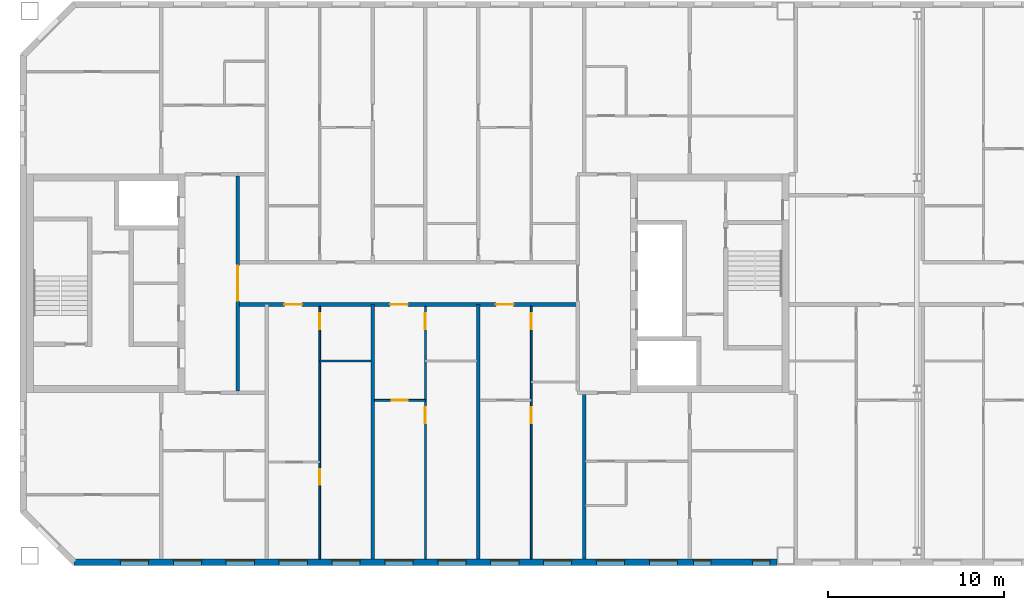
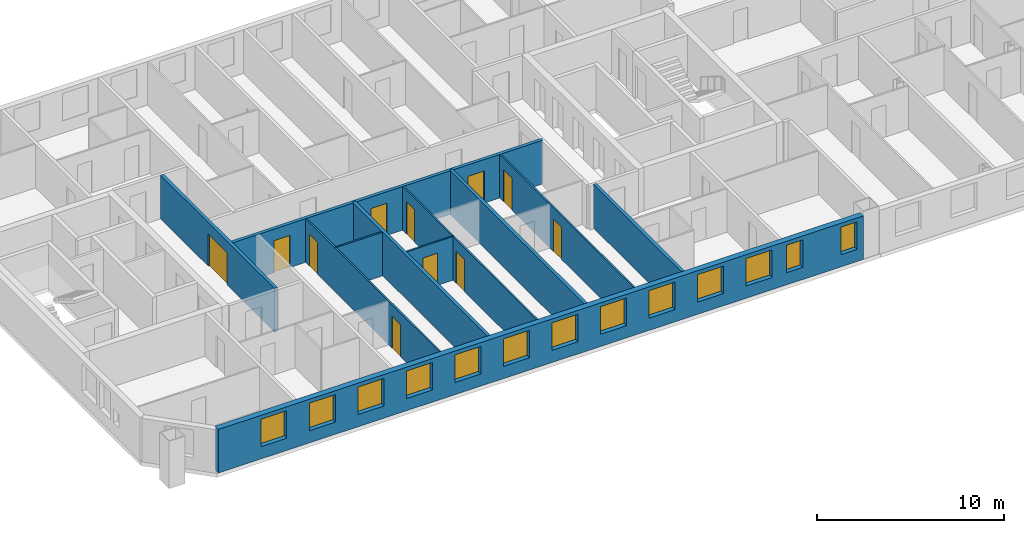
# One storey, part 5 of 19: 13 windows, 11 doors, 11 walls, 24 openings.
"""IFC4 building model written with IfcOpenShell, lengths in metres."""

from ifc_helpers import new_model, si_unit, direction, frame, frame_2d, origin, place, context, subcontext, project, spatial, rectangle, extrude, material, layer, layer_set, type_object, element, fill, save


model = new_model("IFC4")

# Units and contexts
model_context = context("Model", 3, precision=1e-05, world=origin(), true_north=direction((0.0, 1.0)))
body_context = subcontext(model_context, "Body", "Model", "MODEL_VIEW")
ifc_project = project(units=[si_unit("LENGTHUNIT", "METRE"), si_unit("AREAUNIT", "SQUARE_METRE"), si_unit("VOLUMEUNIT", "CUBIC_METRE"), si_unit("PLANEANGLEUNIT", "RADIAN"), si_unit("MASSUNIT", "GRAM", prefix="KILO")], contexts=[model_context])

# Site, building, storey
site_placement = place(None, origin())
site = spatial("IfcSite", under=ifc_project, at=site_placement, CompositionType="ELEMENT")
building_placement = place(site_placement, origin())
building = spatial("IfcBuilding", under=site, at=building_placement, Name="Tuart Gate Housing", CompositionType="ELEMENT")
storey_placement = place(building_placement, frame((0.0, 0.0, 205.89990234375)))
storey = spatial("IfcBuildingStorey", under=building, at=storey_placement, Name="L58", CompositionType="ELEMENT", Elevation=205.89990234375)

# Wall, openings, windows
ifc_material_1 = material(Name="Brick", Category="masonry")
ifc_layer_1 = layer(ifc_material_1, 0.360107421875)
ifc_layer_set_1 = layer_set([ifc_layer_1], Name="Brick pier and spandrel wall 360")
wall_type_1 = type_object("IfcWallType", Name="Brick pier and spandrel wall 360", PredefinedType="STANDARD", material=ifc_layer_set_1)
wall_1_placement = place(storey_placement, frame((35.07470703125, 54.179931640625, 0.0), z_axis=(0.0, 0.0, 1.0), x_axis=(1.0, 0.0, 0.0)))
wall_1 = element("IfcWall", 1, at=wall_1_placement, inside=storey, type_object=wall_type_1, Name="External wall BLK-S L58", PredefinedType="STANDARD", context=body_context, shape_type="SweptSolid", body=[
    extrude(rectangle(XDim=39.875244140625, YDim=0.360107421875, at=frame_2d((19.9375, 0.0))), origin(), (0.0, 0.0, 1.0), 2.85009765625),
])
opening_1_placement = place(wall_1_placement, frame((2.62548828125, 0.0, 0.800048828125)))
opening_1 = element("IfcOpeningElement", 2, at=opening_1_placement, cuts=wall_1, Name="Opening W1", PredefinedType="OPENING", context=body_context, shape_type="SweptSolid", body=[
    extrude(rectangle(XDim=1.60009765625, YDim=1.800048828125, at=frame_2d((0.800048828125, 0.89990234375))), frame((0.0, 0.18994140625, 0.0), z_axis=(0.0, -1.0, 0.0), x_axis=(1.0, 0.0, 0.0)), (0.0, 0.0, 1.0), 0.380126953125),
])
opening_2_placement = place(wall_1_placement, frame((5.62548828125, 0.0, 0.800048828125)))
opening_2 = element("IfcOpeningElement", 3, at=opening_2_placement, cuts=wall_1, Name="Opening W1", PredefinedType="OPENING", context=body_context, shape_type="SweptSolid", body=[
    extrude(rectangle(XDim=1.60009765625, YDim=1.800048828125, at=frame_2d((0.800048828125, 0.89990234375))), frame((0.0, 0.18994140625, 0.0), z_axis=(0.0, -1.0, 0.0), x_axis=(1.0, 0.0, 0.0)), (0.0, 0.0, 1.0), 0.380126953125),
])
opening_3_placement = place(wall_1_placement, frame((8.62548828125, 0.0, 0.800048828125)))
opening_3 = element("IfcOpeningElement", 4, at=opening_3_placement, cuts=wall_1, Name="Opening W1", PredefinedType="OPENING", context=body_context, shape_type="SweptSolid", body=[
    extrude(rectangle(XDim=1.60009765625, YDim=1.800048828125, at=frame_2d((0.800048828125, 0.89990234375))), frame((0.0, 0.18994140625, 0.0), z_axis=(0.0, -1.0, 0.0), x_axis=(1.0, 0.0, 0.0)), (0.0, 0.0, 1.0), 0.380126953125),
])
opening_4_placement = place(wall_1_placement, frame((11.62548828125, 0.0, 0.800048828125)))
opening_4 = element("IfcOpeningElement", 5, at=opening_4_placement, cuts=wall_1, Name="Opening W1", PredefinedType="OPENING", context=body_context, shape_type="SweptSolid", body=[
    extrude(rectangle(XDim=1.60009765625, YDim=1.800048828125, at=frame_2d((0.800048828125, 0.89990234375))), frame((0.0, 0.18994140625, 0.0), z_axis=(0.0, -1.0, 0.0), x_axis=(1.0, 0.0, 0.0)), (0.0, 0.0, 1.0), 0.380126953125),
])
opening_5_placement = place(wall_1_placement, frame((14.62548828125, 0.0, 0.800048828125)))
opening_5 = element("IfcOpeningElement", 6, at=opening_5_placement, cuts=wall_1, Name="Opening W1", PredefinedType="OPENING", context=body_context, shape_type="SweptSolid", body=[
    extrude(rectangle(XDim=1.60009765625, YDim=1.800048828125, at=frame_2d((0.800048828125, 0.89990234375))), frame((0.0, 0.18994140625, 0.0), z_axis=(0.0, -1.0, 0.0), x_axis=(1.0, 0.0, 0.0)), (0.0, 0.0, 1.0), 0.380126953125),
])
opening_6_placement = place(wall_1_placement, frame((17.62548828125, 0.0, 0.800048828125)))
opening_6 = element("IfcOpeningElement", 7, at=opening_6_placement, cuts=wall_1, Name="Opening W1", PredefinedType="OPENING", context=body_context, shape_type="SweptSolid", body=[
    extrude(rectangle(XDim=1.60009765625, YDim=1.800048828125, at=frame_2d((0.800048828125, 0.89990234375))), frame((0.0, 0.18994140625, 0.0), z_axis=(0.0, -1.0, 0.0), x_axis=(1.0, 0.0, 0.0)), (0.0, 0.0, 1.0), 0.380126953125),
])
opening_7_placement = place(wall_1_placement, frame((20.62548828125, 0.0, 0.800048828125)))
opening_7 = element("IfcOpeningElement", 8, at=opening_7_placement, cuts=wall_1, Name="Opening W1", PredefinedType="OPENING", context=body_context, shape_type="SweptSolid", body=[
    extrude(rectangle(XDim=1.60009765625, YDim=1.800048828125, at=frame_2d((0.800048828125, 0.89990234375))), frame((0.0, 0.18994140625, 0.0), z_axis=(0.0, -1.0, 0.0), x_axis=(1.0, 0.0, 0.0)), (0.0, 0.0, 1.0), 0.380126953125),
])
opening_8_placement = place(wall_1_placement, frame((23.62548828125, 0.0, 0.800048828125)))
opening_8 = element("IfcOpeningElement", 9, at=opening_8_placement, cuts=wall_1, Name="Opening W1", PredefinedType="OPENING", context=body_context, shape_type="SweptSolid", body=[
    extrude(rectangle(XDim=1.60009765625, YDim=1.800048828125, at=frame_2d((0.800048828125, 0.89990234375))), frame((0.0, 0.18994140625, 0.0), z_axis=(0.0, -1.0, 0.0), x_axis=(1.0, 0.0, 0.0)), (0.0, 0.0, 1.0), 0.380126953125),
])
opening_9_placement = place(wall_1_placement, frame((26.62548828125, 0.0, 0.800048828125)))
opening_9 = element("IfcOpeningElement", 10, at=opening_9_placement, cuts=wall_1, Name="Opening W1", PredefinedType="OPENING", context=body_context, shape_type="SweptSolid", body=[
    extrude(rectangle(XDim=1.60009765625, YDim=1.800048828125, at=frame_2d((0.800048828125, 0.89990234375))), frame((0.0, 0.18994140625, 0.0), z_axis=(0.0, -1.0, 0.0), x_axis=(1.0, 0.0, 0.0)), (0.0, 0.0, 1.0), 0.380126953125),
])
opening_10_placement = place(wall_1_placement, frame((29.62548828125, 0.0, 0.800048828125)))
opening_10 = element("IfcOpeningElement", 11, at=opening_10_placement, cuts=wall_1, Name="Opening W1", PredefinedType="OPENING", context=body_context, shape_type="SweptSolid", body=[
    extrude(rectangle(XDim=1.60009765625, YDim=1.800048828125, at=frame_2d((0.800048828125, 0.89990234375))), frame((0.0, 0.18994140625, 0.0), z_axis=(0.0, -1.0, 0.0), x_axis=(1.0, 0.0, 0.0)), (0.0, 0.0, 1.0), 0.380126953125),
])
opening_11_placement = place(wall_1_placement, frame((32.62548828125, 0.0, 0.800048828125)))
opening_11 = element("IfcOpeningElement", 12, at=opening_11_placement, cuts=wall_1, Name="Opening W1", PredefinedType="OPENING", context=body_context, shape_type="SweptSolid", body=[
    extrude(rectangle(XDim=1.60009765625, YDim=1.800048828125, at=frame_2d((0.800048828125, 0.89990234375))), frame((0.0, 0.18994140625, 0.0), z_axis=(0.0, -1.0, 0.0), x_axis=(1.0, 0.0, 0.0)), (0.0, 0.0, 1.0), 0.380126953125),
])
opening_12_placement = place(wall_1_placement, frame((35.12548828125, 0.0, 0.800048828125)))
opening_12 = element("IfcOpeningElement", 13, at=opening_12_placement, cuts=wall_1, Name="Opening W1C", PredefinedType="OPENING", context=body_context, shape_type="SweptSolid", body=[
    extrude(rectangle(XDim=1.0, YDim=1.800048828125, at=frame_2d((0.5, 0.89990234375))), frame((0.0, 0.18994140625, 0.0), z_axis=(0.0, -1.0, 0.0), x_axis=(1.0, 0.0, 0.0)), (0.0, 0.0, 1.0), 0.380126953125),
])
opening_13_placement = place(wall_1_placement, frame((38.475341796875, 0.0, 0.800048828125)))
opening_13 = element("IfcOpeningElement", 14, at=opening_13_placement, cuts=wall_1, Name="Opening W1C", PredefinedType="OPENING", context=body_context, shape_type="SweptSolid", body=[
    extrude(rectangle(XDim=1.0, YDim=1.800048828125, at=frame_2d((0.5, 0.89990234375))), frame((0.0, 0.18994140625, 0.0), z_axis=(0.0, -1.0, 0.0), x_axis=(1.0, 0.0, 0.0)), (0.0, 0.0, 1.0), 0.380126953125),
])
ifc_material_2 = material(Name="Aluminium frame with clear glass", Category="aluminium")
window_type_1 = type_object("IfcWindowType", Name="Punched window 1000 x 1800", PartitioningType="SINGLE_PANEL", PredefinedType="WINDOW", material=ifc_material_2)
window_1_placement = place(opening_12_placement, origin())
window_1 = element("IfcWindow", 15, at=window_1_placement, inside=storey, type_object=window_type_1, Name="Window W1C", OverallHeight=1.800048828125, OverallWidth=1.0, PartitioningType="SINGLE_PANEL", PredefinedType="WINDOW", context=body_context, shape_type="SweptSolid", body=[
    extrude(rectangle(XDim=1.0, YDim=1.800048828125, at=frame_2d((0.5, 0.89990234375))), frame((0.0, 0.150146484375, 0.0), z_axis=(0.0, -1.0, 0.0), x_axis=(1.0, 0.0, 0.0)), (0.0, 0.0, 1.0), 0.06005859375),
])
fill(opening_12, window_1)
window_2_placement = place(opening_13_placement, origin())
window_2 = element("IfcWindow", 16, at=window_2_placement, inside=storey, type_object=window_type_1, Name="Window W1C", OverallHeight=1.800048828125, OverallWidth=1.0, PartitioningType="SINGLE_PANEL", PredefinedType="WINDOW", context=body_context, shape_type="SweptSolid", body=[
    extrude(rectangle(XDim=1.0, YDim=1.800048828125, at=frame_2d((0.5, 0.89990234375))), frame((0.0, 0.150146484375, 0.0), z_axis=(0.0, -1.0, 0.0), x_axis=(1.0, 0.0, 0.0)), (0.0, 0.0, 1.0), 0.06005859375),
])
fill(opening_13, window_2)
ifc_material_3 = material(Name="Aluminium frame with clear glass", Category="aluminium")
window_type_2 = type_object("IfcWindowType", Name="Punched window 1600 x 1800", PartitioningType="SINGLE_PANEL", PredefinedType="WINDOW", material=ifc_material_3)
window_3_placement = place(opening_1_placement, origin())
window_3 = element("IfcWindow", 17, at=window_3_placement, inside=storey, type_object=window_type_2, Name="Window W1", OverallHeight=1.800048828125, OverallWidth=1.60009765625, PartitioningType="SINGLE_PANEL", PredefinedType="WINDOW", context=body_context, shape_type="SweptSolid", body=[
    extrude(rectangle(XDim=1.60009765625, YDim=1.800048828125, at=frame_2d((0.800048828125, 0.89990234375))), frame((0.0, 0.150146484375, 0.0), z_axis=(0.0, -1.0, 0.0), x_axis=(1.0, 0.0, 0.0)), (0.0, 0.0, 1.0), 0.06005859375),
])
fill(opening_1, window_3)
window_4_placement = place(opening_2_placement, origin())
window_4 = element("IfcWindow", 18, at=window_4_placement, inside=storey, type_object=window_type_2, Name="Window W1", OverallHeight=1.800048828125, OverallWidth=1.60009765625, PartitioningType="SINGLE_PANEL", PredefinedType="WINDOW", context=body_context, shape_type="SweptSolid", body=[
    extrude(rectangle(XDim=1.60009765625, YDim=1.800048828125, at=frame_2d((0.800048828125, 0.89990234375))), frame((0.0, 0.150146484375, 0.0), z_axis=(0.0, -1.0, 0.0), x_axis=(1.0, 0.0, 0.0)), (0.0, 0.0, 1.0), 0.06005859375),
])
fill(opening_2, window_4)
window_5_placement = place(opening_3_placement, origin())
window_5 = element("IfcWindow", 19, at=window_5_placement, inside=storey, type_object=window_type_2, Name="Window W1", OverallHeight=1.800048828125, OverallWidth=1.60009765625, PartitioningType="SINGLE_PANEL", PredefinedType="WINDOW", context=body_context, shape_type="SweptSolid", body=[
    extrude(rectangle(XDim=1.60009765625, YDim=1.800048828125, at=frame_2d((0.800048828125, 0.89990234375))), frame((0.0, 0.150146484375, 0.0), z_axis=(0.0, -1.0, 0.0), x_axis=(1.0, 0.0, 0.0)), (0.0, 0.0, 1.0), 0.06005859375),
])
fill(opening_3, window_5)
window_6_placement = place(opening_4_placement, origin())
window_6 = element("IfcWindow", 20, at=window_6_placement, inside=storey, type_object=window_type_2, Name="Window W1", OverallHeight=1.800048828125, OverallWidth=1.60009765625, PartitioningType="SINGLE_PANEL", PredefinedType="WINDOW", context=body_context, shape_type="SweptSolid", body=[
    extrude(rectangle(XDim=1.60009765625, YDim=1.800048828125, at=frame_2d((0.800048828125, 0.89990234375))), frame((0.0, 0.150146484375, 0.0), z_axis=(0.0, -1.0, 0.0), x_axis=(1.0, 0.0, 0.0)), (0.0, 0.0, 1.0), 0.06005859375),
])
fill(opening_4, window_6)
window_7_placement = place(opening_5_placement, origin())
window_7 = element("IfcWindow", 21, at=window_7_placement, inside=storey, type_object=window_type_2, Name="Window W1", OverallHeight=1.800048828125, OverallWidth=1.60009765625, PartitioningType="SINGLE_PANEL", PredefinedType="WINDOW", context=body_context, shape_type="SweptSolid", body=[
    extrude(rectangle(XDim=1.60009765625, YDim=1.800048828125, at=frame_2d((0.800048828125, 0.89990234375))), frame((0.0, 0.150146484375, 0.0), z_axis=(0.0, -1.0, 0.0), x_axis=(1.0, 0.0, 0.0)), (0.0, 0.0, 1.0), 0.06005859375),
])
fill(opening_5, window_7)
window_8_placement = place(opening_6_placement, origin())
window_8 = element("IfcWindow", 22, at=window_8_placement, inside=storey, type_object=window_type_2, Name="Window W1", OverallHeight=1.800048828125, OverallWidth=1.60009765625, PartitioningType="SINGLE_PANEL", PredefinedType="WINDOW", context=body_context, shape_type="SweptSolid", body=[
    extrude(rectangle(XDim=1.60009765625, YDim=1.800048828125, at=frame_2d((0.800048828125, 0.89990234375))), frame((0.0, 0.150146484375, 0.0), z_axis=(0.0, -1.0, 0.0), x_axis=(1.0, 0.0, 0.0)), (0.0, 0.0, 1.0), 0.06005859375),
])
fill(opening_6, window_8)
window_9_placement = place(opening_7_placement, origin())
window_9 = element("IfcWindow", 23, at=window_9_placement, inside=storey, type_object=window_type_2, Name="Window W1", OverallHeight=1.800048828125, OverallWidth=1.60009765625, PartitioningType="SINGLE_PANEL", PredefinedType="WINDOW", context=body_context, shape_type="SweptSolid", body=[
    extrude(rectangle(XDim=1.60009765625, YDim=1.800048828125, at=frame_2d((0.800048828125, 0.89990234375))), frame((0.0, 0.150146484375, 0.0), z_axis=(0.0, -1.0, 0.0), x_axis=(1.0, 0.0, 0.0)), (0.0, 0.0, 1.0), 0.06005859375),
])
fill(opening_7, window_9)
window_10_placement = place(opening_8_placement, origin())
window_10 = element("IfcWindow", 24, at=window_10_placement, inside=storey, type_object=window_type_2, Name="Window W1", OverallHeight=1.800048828125, OverallWidth=1.60009765625, PartitioningType="SINGLE_PANEL", PredefinedType="WINDOW", context=body_context, shape_type="SweptSolid", body=[
    extrude(rectangle(XDim=1.60009765625, YDim=1.800048828125, at=frame_2d((0.800048828125, 0.89990234375))), frame((0.0, 0.150146484375, 0.0), z_axis=(0.0, -1.0, 0.0), x_axis=(1.0, 0.0, 0.0)), (0.0, 0.0, 1.0), 0.06005859375),
])
fill(opening_8, window_10)
window_11_placement = place(opening_9_placement, origin())
window_11 = element("IfcWindow", 25, at=window_11_placement, inside=storey, type_object=window_type_2, Name="Window W1", OverallHeight=1.800048828125, OverallWidth=1.60009765625, PartitioningType="SINGLE_PANEL", PredefinedType="WINDOW", context=body_context, shape_type="SweptSolid", body=[
    extrude(rectangle(XDim=1.60009765625, YDim=1.800048828125, at=frame_2d((0.800048828125, 0.89990234375))), frame((0.0, 0.150146484375, 0.0), z_axis=(0.0, -1.0, 0.0), x_axis=(1.0, 0.0, 0.0)), (0.0, 0.0, 1.0), 0.06005859375),
])
fill(opening_9, window_11)
window_12_placement = place(opening_10_placement, origin())
window_12 = element("IfcWindow", 26, at=window_12_placement, inside=storey, type_object=window_type_2, Name="Window W1", OverallHeight=1.800048828125, OverallWidth=1.60009765625, PartitioningType="SINGLE_PANEL", PredefinedType="WINDOW", context=body_context, shape_type="SweptSolid", body=[
    extrude(rectangle(XDim=1.60009765625, YDim=1.800048828125, at=frame_2d((0.800048828125, 0.89990234375))), frame((0.0, 0.150146484375, 0.0), z_axis=(0.0, -1.0, 0.0), x_axis=(1.0, 0.0, 0.0)), (0.0, 0.0, 1.0), 0.06005859375),
])
fill(opening_10, window_12)
window_13_placement = place(opening_11_placement, origin())
window_13 = element("IfcWindow", 27, at=window_13_placement, inside=storey, type_object=window_type_2, Name="Window W1", OverallHeight=1.800048828125, OverallWidth=1.60009765625, PartitioningType="SINGLE_PANEL", PredefinedType="WINDOW", context=body_context, shape_type="SweptSolid", body=[
    extrude(rectangle(XDim=1.60009765625, YDim=1.800048828125, at=frame_2d((0.800048828125, 0.89990234375))), frame((0.0, 0.150146484375, 0.0), z_axis=(0.0, -1.0, 0.0), x_axis=(1.0, 0.0, 0.0)), (0.0, 0.0, 1.0), 0.06005859375),
])
fill(opening_11, window_13)

# Wall, openings, doors
ifc_material_4 = material(Name="Concrete masonry 15 MPa", Category="masonry")
ifc_layer_2 = layer(ifc_material_4, 0.199951171875)
ifc_layer_set_2 = layer_set([ifc_layer_2], Name="Corridor wall masonry 200")
wall_type_2 = type_object("IfcWallType", Name="Corridor wall masonry 200", PredefinedType="PARTITIONING", material=ifc_layer_set_2)
wall_2_placement = place(storey_placement, frame((44.360107421875, 68.800048828125, 0.0), z_axis=(0.0, 0.0, 1.0), x_axis=(1.0, 0.0, 0.0)))
wall_2 = element("IfcWall", 28, at=wall_2_placement, inside=storey, type_object=wall_type_2, Name="Corridor wall masonry 200", PredefinedType="PARTITIONING", context=body_context, shape_type="SweptSolid", body=[
    extrude(rectangle(XDim=19.27978515625, YDim=0.199951171875, at=frame_2d((9.639892578125, 0.0))), origin(), (0.0, 0.0, 1.0), 2.85009765625),
])
opening_14_placement = place(wall_2_placement, frame((14.639892578125, 0.0, 0.0)))
opening_14 = element("IfcOpeningElement", 29, at=opening_14_placement, cuts=wall_2, Name="Opening D1978", PredefinedType="OPENING", context=body_context, shape_type="SweptSolid", body=[
    extrude(rectangle(XDim=1.0, YDim=2.10009765625, at=frame_2d((0.5, 1.050048828125))), frame((0.0, 0.10986328125, 0.0), z_axis=(0.0, -1.0, 0.0), x_axis=(1.0, 0.0, 0.0)), (0.0, 0.0, 1.0), 0.219970703125),
])
opening_15_placement = place(wall_2_placement, frame((8.639892578125, 0.0, 0.0)))
opening_15 = element("IfcOpeningElement", 30, at=opening_15_placement, cuts=wall_2, Name="Opening D1979", PredefinedType="OPENING", context=body_context, shape_type="SweptSolid", body=[
    extrude(rectangle(XDim=1.0, YDim=2.10009765625, at=frame_2d((0.5, 1.050048828125))), frame((0.0, 0.10986328125, 0.0), z_axis=(0.0, -1.0, 0.0), x_axis=(1.0, 0.0, 0.0)), (0.0, 0.0, 1.0), 0.219970703125),
])
opening_16_placement = place(wall_2_placement, frame((2.639892578125, 0.0, 0.0)))
opening_16 = element("IfcOpeningElement", 31, at=opening_16_placement, cuts=wall_2, Name="Opening D1980", PredefinedType="OPENING", context=body_context, shape_type="SweptSolid", body=[
    extrude(rectangle(XDim=1.0, YDim=2.10009765625, at=frame_2d((0.5, 1.050048828125))), frame((0.0, 0.10986328125, 0.0), z_axis=(0.0, -1.0, 0.0), x_axis=(1.0, 0.0, 0.0)), (0.0, 0.0, 1.0), 0.219970703125),
])
ifc_material_5 = material(Name="Timber door leaf in steel frame", Category="steel")
door_type_1 = type_object("IfcDoorType", Name="Flat entrance door 1000 RH", OperationType="SINGLE_SWING_RIGHT", PredefinedType="DOOR", material=ifc_material_5)
door_1_placement = place(opening_14_placement, frame((1.0, 0.0, 0.0), z_axis=(0.0, 0.0, 1.0), x_axis=(-1.0, 0.0, 0.0)))
door_1 = element("IfcDoor", 32, at=door_1_placement, inside=storey, type_object=door_type_1, Name="Flat entrance door", OperationType="SINGLE_SWING_RIGHT", OverallHeight=2.10009765625, OverallWidth=1.0, PredefinedType="DOOR", context=body_context, shape_type="SweptSolid", body=[
    extrude(rectangle(XDim=1.0, YDim=2.10009765625, at=frame_2d((0.5, 1.050048828125))), frame((0.0, 0.025146484375, 0.0), z_axis=(0.0, -1.0, 0.0), x_axis=(1.0, 0.0, 0.0)), (0.0, 0.0, 1.0), 0.050048828125),
])
fill(opening_14, door_1)
door_2_placement = place(opening_15_placement, frame((1.0, 0.0, 0.0), z_axis=(0.0, 0.0, 1.0), x_axis=(-1.0, 0.0, 0.0)))
door_2 = element("IfcDoor", 33, at=door_2_placement, inside=storey, type_object=door_type_1, Name="Flat entrance door", OperationType="SINGLE_SWING_RIGHT", OverallHeight=2.10009765625, OverallWidth=1.0, PredefinedType="DOOR", context=body_context, shape_type="SweptSolid", body=[
    extrude(rectangle(XDim=1.0, YDim=2.10009765625, at=frame_2d((0.5, 1.050048828125))), frame((0.0, 0.025146484375, 0.0), z_axis=(0.0, -1.0, 0.0), x_axis=(1.0, 0.0, 0.0)), (0.0, 0.0, 1.0), 0.050048828125),
])
fill(opening_15, door_2)
door_3_placement = place(opening_16_placement, frame((1.0, 0.0, 0.0), z_axis=(0.0, 0.0, 1.0), x_axis=(-1.0, 0.0, 0.0)))
door_3 = element("IfcDoor", 34, at=door_3_placement, inside=storey, type_object=door_type_1, Name="Flat entrance door", OperationType="SINGLE_SWING_RIGHT", OverallHeight=2.10009765625, OverallWidth=1.0, PredefinedType="DOOR", context=body_context, shape_type="SweptSolid", body=[
    extrude(rectangle(XDim=1.0, YDim=2.10009765625, at=frame_2d((0.5, 1.050048828125))), frame((0.0, 0.025146484375, 0.0), z_axis=(0.0, -1.0, 0.0), x_axis=(1.0, 0.0, 0.0)), (0.0, 0.0, 1.0), 0.050048828125),
])
fill(opening_16, door_3)

# Wall, opening, door
ifc_material_6 = material(Name="Plasterboard partition")
ifc_layer_3 = layer(ifc_material_6, 0.199951171875)
ifc_layer_set_3 = layer_set([ifc_layer_3], Name="Lobby wall 200")
wall_type_3 = type_object("IfcWallType", Name="Lobby wall 200", PredefinedType="PARTITIONING", material=ifc_layer_set_3)
wall_3_placement = place(storey_placement, frame((44.360107421875, 63.89990234375, 0.0), z_axis=(0.0, 0.0, 1.0), x_axis=(0.0, 1.0, 0.0)))
wall_3 = element("IfcWall", 35, at=wall_3_placement, inside=storey, type_object=wall_type_3, Name="Lift lobby wall AK", PredefinedType="PARTITIONING", context=body_context, shape_type="SweptSolid", body=[
    extrude(rectangle(XDim=12.2001953125, YDim=0.199951171875, at=frame_2d((6.10009765625, 0.0))), origin(), (0.0, 0.0, 1.0), 2.85009765625),
])
opening_17_placement = place(wall_3_placement, frame((5.10009765625, 0.0, 0.0)))
opening_17 = element("IfcOpeningElement", 36, at=opening_17_placement, cuts=wall_3, Name="Opening D1973", PredefinedType="OPENING", context=body_context, shape_type="SweptSolid", body=[
    extrude(rectangle(XDim=2.0, YDim=2.10009765625, at=frame_2d((1.0, 1.050048828125))), frame((0.0, 0.10986328125, 0.0), z_axis=(0.0, -1.0, 0.0), x_axis=(1.0, 0.0, 0.0)), (0.0, 0.0, 1.0), 0.219970703125),
])
ifc_material_7 = material(Name="Steel fire door", Category="steel")
door_type_2 = type_object("IfcDoorType", Name="Smoke door 2000 x 2100", OperationType="DOUBLE_DOOR_SINGLE_SWING", PredefinedType="DOOR", material=ifc_material_7)
door_4_placement = place(opening_17_placement, origin())
door_4 = element("IfcDoor", 37, at=door_4_placement, inside=storey, type_object=door_type_2, Name="Lift lobby smoke door AK", OperationType="DOUBLE_DOOR_SINGLE_SWING", OverallHeight=2.10009765625, OverallWidth=2.0, PredefinedType="DOOR", context=body_context, shape_type="SweptSolid", body=[
    extrude(rectangle(XDim=2.0, YDim=2.10009765625, at=frame_2d((1.0, 1.050048828125))), frame((0.0, 0.02490234375, 0.0), z_axis=(0.0, -1.0, 0.0), x_axis=(1.0, 0.0, 0.0)), (0.0, 0.0, 1.0), 0.050048828125),
])
fill(opening_17, door_4)

ifc_material_8 = material(Name="Gypsum board on steel studs", Category="steel")
ifc_layer_4 = layer(ifc_material_8, 0.10009765625)
ifc_layer_set_4 = layer_set([ifc_layer_4], Name="Partition 100")
wall_type_4 = type_object("IfcWallType", Name="Partition 100", PredefinedType="PARTITIONING", material=ifc_layer_set_4)
wall_4_placement = place(storey_placement, frame((52.10009765625, 63.360107421875, 0.0), z_axis=(0.0, 0.0, 1.0), x_axis=(1.0, 0.0, 0.0)))
wall_4 = element("IfcWall", 38, at=wall_4_placement, inside=storey, type_object=wall_type_4, Name="Partition 100", PredefinedType="PARTITIONING", context=body_context, shape_type="SweptSolid", body=[
    extrude(rectangle(XDim=2.89990234375, YDim=0.10009765625, at=frame_2d((1.449951171875, 0.0))), origin(), (0.0, 0.0, 1.0), 2.85009765625),
])
opening_18_placement = place(wall_4_placement, frame((1.0, 0.0, 0.0)))
opening_18 = element("IfcOpeningElement", 39, at=opening_18_placement, cuts=wall_4, Name="Opening D1985", PredefinedType="OPENING", context=body_context, shape_type="SweptSolid", body=[
    extrude(rectangle(XDim=0.89990234375, YDim=2.10009765625, at=frame_2d((0.449951171875, 1.050048828125))), frame((0.0, 0.06005859375, 0.0), z_axis=(0.0, -1.0, 0.0), x_axis=(1.0, 0.0, 0.0)), (0.0, 0.0, 1.0), 0.1201171875),
])
ifc_material_9 = material(Name="Timber door leaf in steel frame", Category="steel")
door_type_3 = type_object("IfcDoorType", Name="Internal door 900 RH", OperationType="SINGLE_SWING_RIGHT", PredefinedType="DOOR", material=ifc_material_9)
door_5_placement = place(opening_18_placement, origin())
door_5 = element("IfcDoor", 40, at=door_5_placement, inside=storey, type_object=door_type_3, Name="Internal door", OperationType="SINGLE_SWING_RIGHT", OverallHeight=2.10009765625, OverallWidth=0.89990234375, PredefinedType="DOOR", context=body_context, shape_type="SweptSolid", body=[
    extrude(rectangle(XDim=0.89990234375, YDim=2.10009765625, at=frame_2d((0.449951171875, 1.050048828125))), frame((0.0, 0.02490234375, 0.0), z_axis=(0.0, -1.0, 0.0), x_axis=(1.0, 0.0, 0.0)), (0.0, 0.0, 1.0), 0.050048828125),
])
fill(opening_18, door_5)

# Wall
wall_5_placement = place(storey_placement, frame((49.0, 65.60009765625, 0.0), z_axis=(0.0, 0.0, 1.0), x_axis=(1.0, 0.0, 0.0)))
element("IfcWall", 41, at=wall_5_placement, inside=storey, type_object=wall_type_4, Name="Partition 100", PredefinedType="PARTITIONING", context=body_context, shape_type="SweptSolid", body=[
    extrude(rectangle(XDim=2.89990234375, YDim=0.10009765625, at=frame_2d((1.449951171875, 0.0))), origin(), (0.0, 0.0, 1.0), 2.85009765625),
])

# Wall, openings, doors
wall_6_placement = place(storey_placement, frame((49.0, 54.360107421875, 0.0), z_axis=(0.0, 0.0, 1.0), x_axis=(0.0, 1.0, 0.0)))
wall_6 = element("IfcWall", 42, at=wall_6_placement, inside=storey, type_object=wall_type_4, Name="Partition 100", PredefinedType="PARTITIONING", context=body_context, shape_type="SweptSolid", body=[
    extrude(rectangle(XDim=14.33984375, YDim=0.10009765625, at=frame_2d((7.169921875, 0.0))), origin(), (0.0, 0.0, 1.0), 2.85009765625),
])
opening_19_placement = place(wall_6_placement, frame((4.199951171875, 0.0, 0.0)))
opening_19 = element("IfcOpeningElement", 43, at=opening_19_placement, cuts=wall_6, Name="Opening D1988", PredefinedType="OPENING", context=body_context, shape_type="SweptSolid", body=[
    extrude(rectangle(XDim=0.89990234375, YDim=2.10009765625, at=frame_2d((0.449951171875, 1.050048828125))), frame((0.0, 0.06005859375, 0.0), z_axis=(0.0, -1.0, 0.0), x_axis=(1.0, 0.0, 0.0)), (0.0, 0.0, 1.0), 0.1201171875),
])
opening_20_placement = place(wall_6_placement, frame((13.0400390625, 0.0, 0.0)))
opening_20 = element("IfcOpeningElement", 44, at=opening_20_placement, cuts=wall_6, Name="Opening D1987", PredefinedType="OPENING", context=body_context, shape_type="SweptSolid", body=[
    extrude(rectangle(XDim=0.89990234375, YDim=2.10009765625, at=frame_2d((0.449951171875, 1.050048828125))), frame((0.0, 0.06005859375, 0.0), z_axis=(0.0, -1.0, 0.0), x_axis=(1.0, 0.0, 0.0)), (0.0, 0.0, 1.0), 0.1201171875),
])
ifc_material_10 = material(Name="Timber door leaf in steel frame", Category="steel")
door_type_4 = type_object("IfcDoorType", Name="Bathroom door 900", OperationType="SINGLE_SWING_LEFT", PredefinedType="DOOR", material=ifc_material_10)
door_6_placement = place(opening_20_placement, frame((0.89990234375, 0.0, 0.0), z_axis=(0.0, 0.0, 1.0), x_axis=(-1.0, 0.0, 0.0)))
door_6 = element("IfcDoor", 45, at=door_6_placement, inside=storey, type_object=door_type_4, Name="Bathroom door", OperationType="SINGLE_SWING_LEFT", OverallHeight=2.10009765625, OverallWidth=0.89990234375, PredefinedType="DOOR", context=body_context, shape_type="SweptSolid", body=[
    extrude(rectangle(XDim=0.89990234375, YDim=2.10009765625, at=frame_2d((0.449951171875, 1.050048828125))), frame((0.0, 0.025146484375, 0.0), z_axis=(0.0, -1.0, 0.0), x_axis=(1.0, 0.0, 0.0)), (0.0, 0.0, 1.0), 0.050048828125),
])
fill(opening_20, door_6)
door_7_placement = place(opening_19_placement, frame((0.89990234375, 0.0, 0.0), z_axis=(0.0, 0.0, 1.0), x_axis=(-1.0, 0.0, 0.0)))
door_7 = element("IfcDoor", 46, at=door_7_placement, inside=storey, type_object=door_type_3, Name="Internal door", OperationType="SINGLE_SWING_RIGHT", OverallHeight=2.10009765625, OverallWidth=0.89990234375, PredefinedType="DOOR", context=body_context, shape_type="SweptSolid", body=[
    extrude(rectangle(XDim=0.89990234375, YDim=2.10009765625, at=frame_2d((0.449951171875, 1.050048828125))), frame((0.0, 0.025146484375, 0.0), z_axis=(0.0, -1.0, 0.0), x_axis=(1.0, 0.0, 0.0)), (0.0, 0.0, 1.0), 0.050048828125),
])
fill(opening_19, door_7)

wall_7_placement = place(storey_placement, frame((55.0, 54.360107421875, 0.0), z_axis=(0.0, 0.0, 1.0), x_axis=(0.0, 1.0, 0.0)))
wall_7 = element("IfcWall", 47, at=wall_7_placement, inside=storey, type_object=wall_type_4, Name="Partition 100", PredefinedType="PARTITIONING", context=body_context, shape_type="SweptSolid", body=[
    extrude(rectangle(XDim=14.33984375, YDim=0.10009765625, at=frame_2d((7.169921875, 0.0))), origin(), (0.0, 0.0, 1.0), 2.85009765625),
])
opening_21_placement = place(wall_7_placement, frame((7.699951171875, 0.0, 0.0)))
opening_21 = element("IfcOpeningElement", 48, at=opening_21_placement, cuts=wall_7, Name="Opening D1990", PredefinedType="OPENING", context=body_context, shape_type="SweptSolid", body=[
    extrude(rectangle(XDim=0.89990234375, YDim=2.10009765625, at=frame_2d((0.449951171875, 1.050048828125))), frame((0.0, 0.06005859375, 0.0), z_axis=(0.0, -1.0, 0.0), x_axis=(1.0, 0.0, 0.0)), (0.0, 0.0, 1.0), 0.1201171875),
])
opening_22_placement = place(wall_7_placement, frame((13.0400390625, 0.0, 0.0)))
opening_22 = element("IfcOpeningElement", 49, at=opening_22_placement, cuts=wall_7, Name="Opening D1989", PredefinedType="OPENING", context=body_context, shape_type="SweptSolid", body=[
    extrude(rectangle(XDim=0.89990234375, YDim=2.10009765625, at=frame_2d((0.449951171875, 1.050048828125))), frame((0.0, 0.06005859375, 0.0), z_axis=(0.0, -1.0, 0.0), x_axis=(1.0, 0.0, 0.0)), (0.0, 0.0, 1.0), 0.1201171875),
])
door_8_placement = place(opening_22_placement, frame((0.89990234375, 0.0, 0.0), z_axis=(0.0, 0.0, 1.0), x_axis=(-1.0, 0.0, 0.0)))
door_8 = element("IfcDoor", 50, at=door_8_placement, inside=storey, type_object=door_type_4, Name="Bathroom door", OperationType="SINGLE_SWING_LEFT", OverallHeight=2.10009765625, OverallWidth=0.89990234375, PredefinedType="DOOR", context=body_context, shape_type="SweptSolid", body=[
    extrude(rectangle(XDim=0.89990234375, YDim=2.10009765625, at=frame_2d((0.449951171875, 1.050048828125))), frame((0.0, 0.025146484375, 0.0), z_axis=(0.0, -1.0, 0.0), x_axis=(1.0, 0.0, 0.0)), (0.0, 0.0, 1.0), 0.050048828125),
])
fill(opening_22, door_8)
ifc_material_11 = material(Name="Timber door leaf in steel frame", Category="steel")
door_type_5 = type_object("IfcDoorType", Name="Internal door 900", OperationType="SINGLE_SWING_LEFT", PredefinedType="DOOR", material=ifc_material_11)
door_9_placement = place(opening_21_placement, frame((0.89990234375, 0.0, 0.0), z_axis=(0.0, 0.0, 1.0), x_axis=(-1.0, 0.0, 0.0)))
door_9 = element("IfcDoor", 51, at=door_9_placement, inside=storey, type_object=door_type_5, Name="Internal door", OperationType="SINGLE_SWING_LEFT", OverallHeight=2.10009765625, OverallWidth=0.89990234375, PredefinedType="DOOR", context=body_context, shape_type="SweptSolid", body=[
    extrude(rectangle(XDim=0.89990234375, YDim=2.10009765625, at=frame_2d((0.449951171875, 1.050048828125))), frame((0.0, 0.025146484375, 0.0), z_axis=(0.0, -1.0, 0.0), x_axis=(1.0, 0.0, 0.0)), (0.0, 0.0, 1.0), 0.050048828125),
])
fill(opening_21, door_9)

wall_8_placement = place(storey_placement, frame((61.0, 54.360107421875, 0.0), z_axis=(0.0, 0.0, 1.0), x_axis=(0.0, 1.0, 0.0)))
wall_8 = element("IfcWall", 52, at=wall_8_placement, inside=storey, type_object=wall_type_4, Name="Partition 100", PredefinedType="PARTITIONING", context=body_context, shape_type="SweptSolid", body=[
    extrude(rectangle(XDim=14.33984375, YDim=0.10009765625, at=frame_2d((7.169921875, 0.0))), origin(), (0.0, 0.0, 1.0), 2.85009765625),
])
opening_23_placement = place(wall_8_placement, frame((7.699951171875, 0.0, 0.0)))
opening_23 = element("IfcOpeningElement", 53, at=opening_23_placement, cuts=wall_8, Name="Opening D1992", PredefinedType="OPENING", context=body_context, shape_type="SweptSolid", body=[
    extrude(rectangle(XDim=0.89990234375, YDim=2.10009765625, at=frame_2d((0.449951171875, 1.050048828125))), frame((0.0, 0.06005859375, 0.0), z_axis=(0.0, -1.0, 0.0), x_axis=(1.0, 0.0, 0.0)), (0.0, 0.0, 1.0), 0.1201171875),
])
opening_24_placement = place(wall_8_placement, frame((13.0400390625, 0.0, 0.0)))
opening_24 = element("IfcOpeningElement", 54, at=opening_24_placement, cuts=wall_8, Name="Opening D1991", PredefinedType="OPENING", context=body_context, shape_type="SweptSolid", body=[
    extrude(rectangle(XDim=0.89990234375, YDim=2.10009765625, at=frame_2d((0.449951171875, 1.050048828125))), frame((0.0, 0.06005859375, 0.0), z_axis=(0.0, -1.0, 0.0), x_axis=(1.0, 0.0, 0.0)), (0.0, 0.0, 1.0), 0.1201171875),
])
door_10_placement = place(opening_24_placement, frame((0.89990234375, 0.0, 0.0), z_axis=(0.0, 0.0, 1.0), x_axis=(-1.0, 0.0, 0.0)))
door_10 = element("IfcDoor", 55, at=door_10_placement, inside=storey, type_object=door_type_4, Name="Bathroom door", OperationType="SINGLE_SWING_LEFT", OverallHeight=2.10009765625, OverallWidth=0.89990234375, PredefinedType="DOOR", context=body_context, shape_type="SweptSolid", body=[
    extrude(rectangle(XDim=0.89990234375, YDim=2.10009765625, at=frame_2d((0.449951171875, 1.050048828125))), frame((0.0, 0.025146484375, 0.0), z_axis=(0.0, -1.0, 0.0), x_axis=(1.0, 0.0, 0.0)), (0.0, 0.0, 1.0), 0.050048828125),
])
fill(opening_24, door_10)
door_11_placement = place(opening_23_placement, frame((0.89990234375, 0.0, 0.0), z_axis=(0.0, 0.0, 1.0), x_axis=(-1.0, 0.0, 0.0)))
door_11 = element("IfcDoor", 56, at=door_11_placement, inside=storey, type_object=door_type_5, Name="Internal door", OperationType="SINGLE_SWING_LEFT", OverallHeight=2.10009765625, OverallWidth=0.89990234375, PredefinedType="DOOR", context=body_context, shape_type="SweptSolid", body=[
    extrude(rectangle(XDim=0.89990234375, YDim=2.10009765625, at=frame_2d((0.449951171875, 1.050048828125))), frame((0.0, 0.025146484375, 0.0), z_axis=(0.0, -1.0, 0.0), x_axis=(1.0, 0.0, 0.0)), (0.0, 0.0, 1.0), 0.050048828125),
])
fill(opening_23, door_11)

# Walls
ifc_material_12 = material(Name="Concrete C40", Category="concrete")
ifc_layer_5 = layer(ifc_material_12, 0.199951171875)
ifc_layer_set_5 = layer_set([ifc_layer_5], Name="Party wall concrete C40 200")
wall_type_5 = type_object("IfcWallType", Name="Party wall concrete C40 200", PredefinedType="SOLIDWALL", material=ifc_layer_set_5)
for number, where, z_axis, x_axis, name in (
    (57, (52.0, 54.360107421875, 0.0), (0.0, 0.0, 1.0), (0.0, 1.0, 0.0), "Party wall concrete C40 200"),
    (58, (58.0, 54.360107421875, 0.0), (0.0, 0.0, 1.0), (0.0, 1.0, 0.0), "Party wall concrete C40 200"),
):
    element("IfcWall", number, at=place(storey_placement, frame(where, z_axis=z_axis, x_axis=x_axis)), inside=storey, type_object=wall_type_5, Name=name, PredefinedType="SOLIDWALL", context=body_context, shape_type="SweptSolid", body=[
        extrude(rectangle(XDim=14.43994140625, YDim=0.199951171875, at=frame_2d((7.219970703125, 0.0))), origin(), (0.0, 0.0, 1.0), 2.85009765625),
    ])
wall_9_placement = place(storey_placement, frame((64.0, 54.360107421875, 0.0), z_axis=(0.0, 0.0, 1.0), x_axis=(0.0, 1.0, 0.0)))
element("IfcWall", 59, at=wall_9_placement, inside=storey, type_object=wall_type_5, Name="Party wall concrete C40 200", PredefinedType="SOLIDWALL", context=body_context, shape_type="SweptSolid", body=[
    extrude(rectangle(XDim=9.43994140625, YDim=0.199951171875, at=frame_2d((4.719970703125, 0.0))), origin(), (0.0, 0.0, 1.0), 2.85009765625),
])

save(model, "model.ifc")
